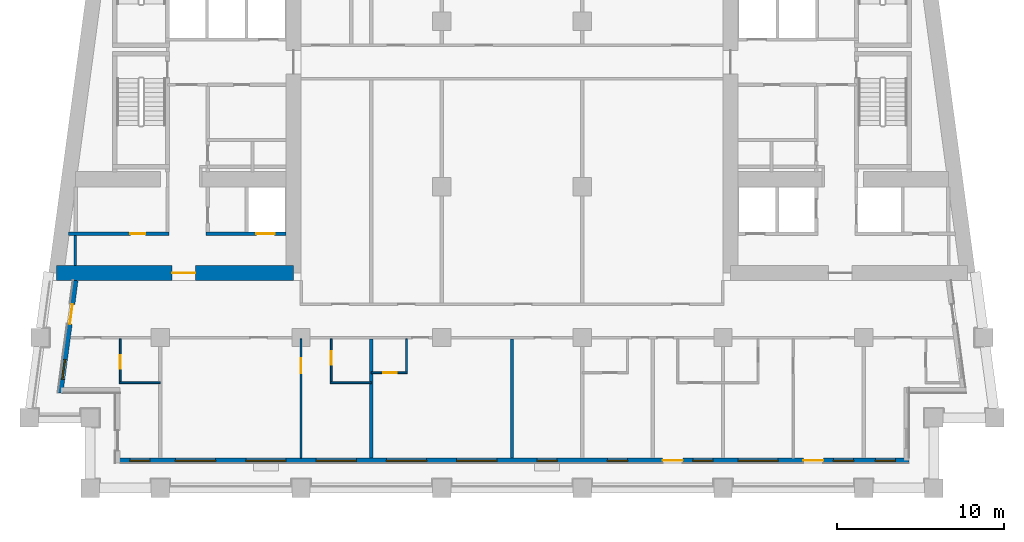
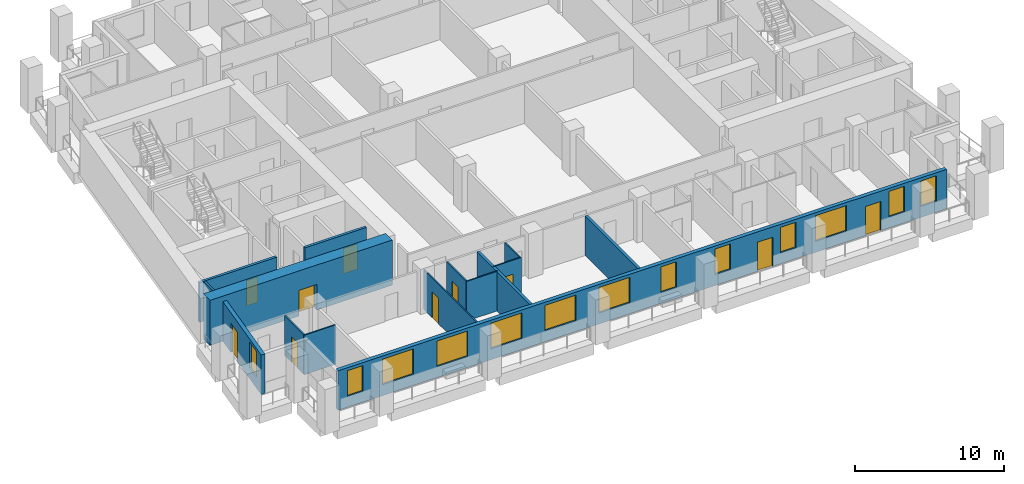
# One storey, part 2 of 13: 15 walls, 13 windows, 10 doors, 23 openings.
"""IFC4 building model written with IfcOpenShell, lengths in metres."""

from ifc_helpers import new_model, si_unit, direction, frame, frame_2d, origin, place, context, subcontext, project, spatial, rectangle, extrude, material, layer, layer_set, type_object, element, fill, save


model = new_model("IFC4")

# Units and contexts
model_context = context("Model", 3, precision=1e-05, world=origin(), true_north=direction((0.0, 1.0)))
body_context = subcontext(model_context, "Body", "Model", "MODEL_VIEW")
ifc_project = project(units=[si_unit("LENGTHUNIT", "METRE"), si_unit("AREAUNIT", "SQUARE_METRE"), si_unit("VOLUMEUNIT", "CUBIC_METRE"), si_unit("PLANEANGLEUNIT", "RADIAN"), si_unit("MASSUNIT", "GRAM", prefix="KILO")], contexts=[model_context])

# Site, building, storey
site_placement = place(None, origin())
site = spatial("IfcSite", under=ifc_project, at=site_placement, CompositionType="ELEMENT")
building_placement = place(site_placement, origin())
building = spatial("IfcBuilding", under=site, at=building_placement, Name="Candeia Pilgrim Tower and Theatre", CompositionType="ELEMENT")
storey_placement = place(building_placement, frame((0.0, 0.0, 188.5)))
storey = spatial("IfcBuildingStorey", under=building, at=storey_placement, Name="L45", CompositionType="ELEMENT", Elevation=188.5)

# Wall, opening, door
ifc_material_1 = material(Name="Concrete C60/75", Category="concrete")
ifc_layer_1 = layer(ifc_material_1, 0.89990234375)
ifc_layer_set_1 = layer_set([ifc_layer_1], Name="Core wall 900 C60/75")
wall_type_1 = type_object("IfcWallType", Name="Core wall 900 C60/75", PredefinedType="SHEAR", material=ifc_layer_set_1)
wall_1_placement = place(storey_placement, frame((100.35009765625, 110.85009765625, 0.0), z_axis=(0.0, 0.0, 1.0), x_axis=(-1.0, 0.0, 0.0)))
wall_1 = element("IfcWall", 1, at=wall_1_placement, inside=storey, type_object=wall_type_1, Name="Core wall W3", PredefinedType="SHEAR", context=body_context, shape_type="SweptSolid", body=[
    extrude(rectangle(XDim=14.166259765625, YDim=0.89990234375, at=frame_2d((7.0830078125, 0.0))), origin(), (0.0, 0.0, 1.0), 3.699951171875),
])
opening_1_placement = place(wall_1_placement, frame((5.854736328125, 0.0, 0.0)))
opening_1 = element("IfcOpeningElement", 2, at=opening_1_placement, cuts=wall_1, Name="Opening L45-D055", PredefinedType="OPENING", context=body_context, shape_type="SweptSolid", body=[
    extrude(rectangle(XDim=1.39990234375, YDim=2.10009765625, at=frame_2d((0.699951171875, 1.050048828125))), frame((0.0, 0.4599609375, 0.0), z_axis=(0.0, -1.0, 0.0), x_axis=(1.0, 0.0, 0.0)), (0.0, 0.0, 1.0), 0.919921875),
])
ifc_material_2 = material(Name="Steel fire door set", Category="steel")
door_type_1 = type_object("IfcDoorType", Name="D-1400-FD60", OperationType="NOTDEFINED", PredefinedType="DOOR", material=ifc_material_2)
door_1_placement = place(opening_1_placement, origin())
door_1 = element("IfcDoor", 3, at=door_1_placement, inside=storey, type_object=door_type_1, Name="Door L45-D055", OperationType="SINGLE_SWING_RIGHT", OverallHeight=2.10009765625, OverallWidth=1.39990234375, PredefinedType="DOOR", context=body_context, shape_type="SweptSolid", body=[
    extrude(rectangle(XDim=1.39990234375, YDim=2.10009765625, at=frame_2d((0.699951171875, 1.050048828125))), frame((0.0, 0.02490234375, 0.0), z_axis=(0.0, -1.0, 0.0), x_axis=(1.0, 0.0, 0.0)), (0.0, 0.0, 1.0), 0.050048828125),
])
fill(opening_1, door_1)

# Wall, openings, doors, windows
ifc_material_3 = material(Name="Ceramic block masonry", Category="masonry")
ifc_layer_2 = layer(ifc_material_3, 0.300048828125)
ifc_layer_set_2 = layer_set([ifc_layer_2], Name="EW1 glazing-line wall 300")
wall_type_2 = type_object("IfcWallType", Name="EW1 glazing-line wall 300", PredefinedType="SOLIDWALL", material=ifc_layer_set_2)
wall_2_placement = place(storey_placement, frame((89.85009765625, 99.64990234375, 0.0), z_axis=(0.0, 0.0, 1.0), x_axis=(1.0, 0.0, 0.0)))
wall_2 = element("IfcWall", 4, at=wall_2_placement, inside=storey, type_object=wall_type_2, Name="External wall L45-0.0", PredefinedType="SOLIDWALL", context=body_context, shape_type="SweptSolid", body=[
    extrude(rectangle(XDim=47.25, YDim=0.300048828125, at=frame_2d((23.625, 0.0))), origin(), (0.0, 0.0, 1.0), 3.25),
])
opening_2_placement = place(wall_2_placement, frame((0.72509765625, 0.0, 0.89990234375)))
opening_2 = element("IfcOpeningElement", 5, at=opening_2_placement, cuts=wall_2, Name="Opening W-B", PredefinedType="OPENING", context=body_context, shape_type="SweptSolid", body=[
    extrude(rectangle(XDim=1.199951171875, YDim=2.10009765625, at=frame_2d((0.60009765625, 1.050048828125))), frame((0.0, 0.16015625, 0.0), z_axis=(0.0, -1.0, 0.0), x_axis=(1.0, 0.0, 0.0)), (0.0, 0.0, 1.0), 0.320068359375),
])
opening_3_placement = place(wall_2_placement, frame((3.449951171875, 0.0, 0.89990234375)))
opening_3 = element("IfcOpeningElement", 6, at=opening_3_placement, cuts=wall_2, Name="Opening W-A", PredefinedType="OPENING", context=body_context, shape_type="SweptSolid", body=[
    extrude(rectangle(XDim=2.39990234375, YDim=2.10009765625, at=frame_2d((1.199951171875, 1.050048828125))), frame((0.0, 0.16015625, 0.0), z_axis=(0.0, -1.0, 0.0), x_axis=(1.0, 0.0, 0.0)), (0.0, 0.0, 1.0), 0.320068359375),
])
opening_4_placement = place(wall_2_placement, frame((7.64990234375, 0.0, 0.89990234375)))
opening_4 = element("IfcOpeningElement", 7, at=opening_4_placement, cuts=wall_2, Name="Opening W-A", PredefinedType="OPENING", context=body_context, shape_type="SweptSolid", body=[
    extrude(rectangle(XDim=2.39990234375, YDim=2.10009765625, at=frame_2d((1.199951171875, 1.050048828125))), frame((0.0, 0.16015625, 0.0), z_axis=(0.0, -1.0, 0.0), x_axis=(1.0, 0.0, 0.0)), (0.0, 0.0, 1.0), 0.320068359375),
])
opening_5_placement = place(wall_2_placement, frame((11.85009765625, 0.0, 0.89990234375)))
opening_5 = element("IfcOpeningElement", 8, at=opening_5_placement, cuts=wall_2, Name="Opening W-A", PredefinedType="OPENING", context=body_context, shape_type="SweptSolid", body=[
    extrude(rectangle(XDim=2.39990234375, YDim=2.10009765625, at=frame_2d((1.199951171875, 1.050048828125))), frame((0.0, 0.16015625, 0.0), z_axis=(0.0, -1.0, 0.0), x_axis=(1.0, 0.0, 0.0)), (0.0, 0.0, 1.0), 0.320068359375),
])
opening_6_placement = place(wall_2_placement, frame((16.050048828125, 0.0, 0.89990234375)))
opening_6 = element("IfcOpeningElement", 9, at=opening_6_placement, cuts=wall_2, Name="Opening W-A", PredefinedType="OPENING", context=body_context, shape_type="SweptSolid", body=[
    extrude(rectangle(XDim=2.39990234375, YDim=2.10009765625, at=frame_2d((1.199951171875, 1.050048828125))), frame((0.0, 0.16015625, 0.0), z_axis=(0.0, -1.0, 0.0), x_axis=(1.0, 0.0, 0.0)), (0.0, 0.0, 1.0), 0.320068359375),
])
opening_7_placement = place(wall_2_placement, frame((20.25, 0.0, 0.89990234375)))
opening_7 = element("IfcOpeningElement", 10, at=opening_7_placement, cuts=wall_2, Name="Opening W-A", PredefinedType="OPENING", context=body_context, shape_type="SweptSolid", body=[
    extrude(rectangle(XDim=2.39990234375, YDim=2.10009765625, at=frame_2d((1.199951171875, 1.050048828125))), frame((0.0, 0.16015625, 0.0), z_axis=(0.0, -1.0, 0.0), x_axis=(1.0, 0.0, 0.0)), (0.0, 0.0, 1.0), 0.320068359375),
])
opening_8_placement = place(wall_2_placement, frame((25.050048828125, 0.0, 0.89990234375)))
opening_8 = element("IfcOpeningElement", 11, at=opening_8_placement, cuts=wall_2, Name="Opening W-B", PredefinedType="OPENING", context=body_context, shape_type="SweptSolid", body=[
    extrude(rectangle(XDim=1.199951171875, YDim=2.10009765625, at=frame_2d((0.60009765625, 1.050048828125))), frame((0.0, 0.16015625, 0.0), z_axis=(0.0, -1.0, 0.0), x_axis=(1.0, 0.0, 0.0)), (0.0, 0.0, 1.0), 0.320068359375),
])
opening_9_placement = place(wall_2_placement, frame((29.25, 0.0, 0.89990234375)))
opening_9 = element("IfcOpeningElement", 12, at=opening_9_placement, cuts=wall_2, Name="Opening W-B", PredefinedType="OPENING", context=body_context, shape_type="SweptSolid", body=[
    extrude(rectangle(XDim=1.199951171875, YDim=2.10009765625, at=frame_2d((0.60009765625, 1.050048828125))), frame((0.0, 0.16015625, 0.0), z_axis=(0.0, -1.0, 0.0), x_axis=(1.0, 0.0, 0.0)), (0.0, 0.0, 1.0), 0.320068359375),
])
opening_10_placement = place(wall_2_placement, frame((32.550048828125, 0.0, 0.0)))
opening_10 = element("IfcOpeningElement", 13, at=opening_10_placement, cuts=wall_2, Name="Opening L45-ED430", PredefinedType="OPENING", context=body_context, shape_type="SweptSolid", body=[
    extrude(rectangle(XDim=1.199951171875, YDim=2.39990234375, at=frame_2d((0.60009765625, 1.199951171875))), frame((0.0, 0.16015625, 0.0), z_axis=(0.0, -1.0, 0.0), x_axis=(1.0, 0.0, 0.0)), (0.0, 0.0, 1.0), 0.320068359375),
])
opening_11_placement = place(wall_2_placement, frame((34.35009765625, 0.0, 0.89990234375)))
opening_11 = element("IfcOpeningElement", 14, at=opening_11_placement, cuts=wall_2, Name="Opening W-B", PredefinedType="OPENING", context=body_context, shape_type="SweptSolid", body=[
    extrude(rectangle(XDim=1.199951171875, YDim=2.10009765625, at=frame_2d((0.60009765625, 1.050048828125))), frame((0.0, 0.16015625, 0.0), z_axis=(0.0, -1.0, 0.0), x_axis=(1.0, 0.0, 0.0)), (0.0, 0.0, 1.0), 0.320068359375),
])
opening_12_placement = place(wall_2_placement, frame((37.050048828125, 0.0, 0.89990234375)))
opening_12 = element("IfcOpeningElement", 15, at=opening_12_placement, cuts=wall_2, Name="Opening W-A", PredefinedType="OPENING", context=body_context, shape_type="SweptSolid", body=[
    extrude(rectangle(XDim=2.39990234375, YDim=2.10009765625, at=frame_2d((1.199951171875, 1.050048828125))), frame((0.0, 0.16015625, 0.0), z_axis=(0.0, -1.0, 0.0), x_axis=(1.0, 0.0, 0.0)), (0.0, 0.0, 1.0), 0.320068359375),
])
opening_13_placement = place(wall_2_placement, frame((40.949951171875, 0.0, 0.0)))
opening_13 = element("IfcOpeningElement", 16, at=opening_13_placement, cuts=wall_2, Name="Opening L45-ED431", PredefinedType="OPENING", context=body_context, shape_type="SweptSolid", body=[
    extrude(rectangle(XDim=1.199951171875, YDim=2.39990234375, at=frame_2d((0.60009765625, 1.199951171875))), frame((0.0, 0.16015625, 0.0), z_axis=(0.0, -1.0, 0.0), x_axis=(1.0, 0.0, 0.0)), (0.0, 0.0, 1.0), 0.320068359375),
])
opening_14_placement = place(wall_2_placement, frame((42.75, 0.0, 0.89990234375)))
opening_14 = element("IfcOpeningElement", 17, at=opening_14_placement, cuts=wall_2, Name="Opening W-B", PredefinedType="OPENING", context=body_context, shape_type="SweptSolid", body=[
    extrude(rectangle(XDim=1.199951171875, YDim=2.10009765625, at=frame_2d((0.60009765625, 1.050048828125))), frame((0.0, 0.16015625, 0.0), z_axis=(0.0, -1.0, 0.0), x_axis=(1.0, 0.0, 0.0)), (0.0, 0.0, 1.0), 0.320068359375),
])
opening_15_placement = place(wall_2_placement, frame((45.25, 0.0, 0.89990234375)))
opening_15 = element("IfcOpeningElement", 18, at=opening_15_placement, cuts=wall_2, Name="Opening W-B", PredefinedType="OPENING", context=body_context, shape_type="SweptSolid", body=[
    extrude(rectangle(XDim=1.199951171875, YDim=2.10009765625, at=frame_2d((0.60009765625, 1.050048828125))), frame((0.0, 0.16015625, 0.0), z_axis=(0.0, -1.0, 0.0), x_axis=(1.0, 0.0, 0.0)), (0.0, 0.0, 1.0), 0.320068359375),
])
ifc_material_4 = material(Name="Aluminium framed glazed door", Category="aluminium")
door_type_2 = type_object("IfcDoorType", Name="Loggia door 1200x2400", OperationType="DOUBLE_DOOR_SINGLE_SWING", PredefinedType="DOOR", material=ifc_material_4)
door_2_placement = place(opening_10_placement, origin())
door_2 = element("IfcDoor", 19, at=door_2_placement, inside=storey, type_object=door_type_2, Name="Loggia door L45-ED430", OperationType="DOUBLE_DOOR_SINGLE_SWING", OverallHeight=2.39990234375, OverallWidth=1.199951171875, PredefinedType="DOOR", context=body_context, shape_type="SweptSolid", body=[
    extrude(rectangle(XDim=1.199951171875, YDim=2.39990234375, at=frame_2d((0.60009765625, 1.199951171875))), frame((0.0, 0.02490234375, 0.0), z_axis=(0.0, -1.0, 0.0), x_axis=(1.0, 0.0, 0.0)), (0.0, 0.0, 1.0), 0.050048828125),
])
fill(opening_10, door_2)
door_3_placement = place(opening_13_placement, origin())
door_3 = element("IfcDoor", 20, at=door_3_placement, inside=storey, type_object=door_type_2, Name="Loggia door L45-ED431", OperationType="DOUBLE_DOOR_SINGLE_SWING", OverallHeight=2.39990234375, OverallWidth=1.199951171875, PredefinedType="DOOR", context=body_context, shape_type="SweptSolid", body=[
    extrude(rectangle(XDim=1.199951171875, YDim=2.39990234375, at=frame_2d((0.60009765625, 1.199951171875))), frame((0.0, 0.02490234375, 0.0), z_axis=(0.0, -1.0, 0.0), x_axis=(1.0, 0.0, 0.0)), (0.0, 0.0, 1.0), 0.050048828125),
])
fill(opening_13, door_3)
ifc_material_5 = material(Name="Aluminium framed double glazing", Category="aluminium")
window_type_1 = type_object("IfcWindowType", Name="W-A window 2400x2100", PartitioningType="DOUBLE_PANEL_VERTICAL", PredefinedType="WINDOW", material=ifc_material_5)
window_1_placement = place(opening_3_placement, origin())
window_1 = element("IfcWindow", 21, at=window_1_placement, inside=storey, type_object=window_type_1, Name="Window W-A L45", OverallHeight=2.10009765625, OverallWidth=2.39990234375, PartitioningType="SINGLE_PANEL", PredefinedType="WINDOW", context=body_context, shape_type="SweptSolid", body=[
    extrude(rectangle(XDim=2.39990234375, YDim=2.10009765625, at=frame_2d((1.199951171875, 1.050048828125))), frame((0.0, 0.030029296875, 0.0), z_axis=(0.0, -1.0, 0.0), x_axis=(1.0, 0.0, 0.0)), (0.0, 0.0, 1.0), 0.06005859375),
])
fill(opening_3, window_1)
window_2_placement = place(opening_4_placement, origin())
window_2 = element("IfcWindow", 22, at=window_2_placement, inside=storey, type_object=window_type_1, Name="Window W-A L45", OverallHeight=2.10009765625, OverallWidth=2.39990234375, PartitioningType="SINGLE_PANEL", PredefinedType="WINDOW", context=body_context, shape_type="SweptSolid", body=[
    extrude(rectangle(XDim=2.39990234375, YDim=2.10009765625, at=frame_2d((1.199951171875, 1.050048828125))), frame((0.0, 0.030029296875, 0.0), z_axis=(0.0, -1.0, 0.0), x_axis=(1.0, 0.0, 0.0)), (0.0, 0.0, 1.0), 0.06005859375),
])
fill(opening_4, window_2)
window_3_placement = place(opening_5_placement, origin())
window_3 = element("IfcWindow", 23, at=window_3_placement, inside=storey, type_object=window_type_1, Name="Window W-A L45", OverallHeight=2.10009765625, OverallWidth=2.39990234375, PartitioningType="SINGLE_PANEL", PredefinedType="WINDOW", context=body_context, shape_type="SweptSolid", body=[
    extrude(rectangle(XDim=2.39990234375, YDim=2.10009765625, at=frame_2d((1.199951171875, 1.050048828125))), frame((0.0, 0.030029296875, 0.0), z_axis=(0.0, -1.0, 0.0), x_axis=(1.0, 0.0, 0.0)), (0.0, 0.0, 1.0), 0.06005859375),
])
fill(opening_5, window_3)
window_4_placement = place(opening_6_placement, origin())
window_4 = element("IfcWindow", 24, at=window_4_placement, inside=storey, type_object=window_type_1, Name="Window W-A L45", OverallHeight=2.10009765625, OverallWidth=2.39990234375, PartitioningType="SINGLE_PANEL", PredefinedType="WINDOW", context=body_context, shape_type="SweptSolid", body=[
    extrude(rectangle(XDim=2.39990234375, YDim=2.10009765625, at=frame_2d((1.199951171875, 1.050048828125))), frame((0.0, 0.030029296875, 0.0), z_axis=(0.0, -1.0, 0.0), x_axis=(1.0, 0.0, 0.0)), (0.0, 0.0, 1.0), 0.06005859375),
])
fill(opening_6, window_4)
window_5_placement = place(opening_7_placement, origin())
window_5 = element("IfcWindow", 25, at=window_5_placement, inside=storey, type_object=window_type_1, Name="Window W-A L45", OverallHeight=2.10009765625, OverallWidth=2.39990234375, PartitioningType="SINGLE_PANEL", PredefinedType="WINDOW", context=body_context, shape_type="SweptSolid", body=[
    extrude(rectangle(XDim=2.39990234375, YDim=2.10009765625, at=frame_2d((1.199951171875, 1.050048828125))), frame((0.0, 0.030029296875, 0.0), z_axis=(0.0, -1.0, 0.0), x_axis=(1.0, 0.0, 0.0)), (0.0, 0.0, 1.0), 0.06005859375),
])
fill(opening_7, window_5)
window_6_placement = place(opening_12_placement, origin())
window_6 = element("IfcWindow", 26, at=window_6_placement, inside=storey, type_object=window_type_1, Name="Window W-A L45", OverallHeight=2.10009765625, OverallWidth=2.39990234375, PartitioningType="SINGLE_PANEL", PredefinedType="WINDOW", context=body_context, shape_type="SweptSolid", body=[
    extrude(rectangle(XDim=2.39990234375, YDim=2.10009765625, at=frame_2d((1.199951171875, 1.050048828125))), frame((0.0, 0.030029296875, 0.0), z_axis=(0.0, -1.0, 0.0), x_axis=(1.0, 0.0, 0.0)), (0.0, 0.0, 1.0), 0.06005859375),
])
fill(opening_12, window_6)
window_type_2 = type_object("IfcWindowType", Name="W-B window 1200x2100", PartitioningType="SINGLE_PANEL", PredefinedType="WINDOW", material=ifc_material_5)
window_7_placement = place(opening_2_placement, origin())
window_7 = element("IfcWindow", 27, at=window_7_placement, inside=storey, type_object=window_type_2, Name="Window W-B L45", OverallHeight=2.10009765625, OverallWidth=1.199951171875, PartitioningType="SINGLE_PANEL", PredefinedType="WINDOW", context=body_context, shape_type="SweptSolid", body=[
    extrude(rectangle(XDim=1.199951171875, YDim=2.10009765625, at=frame_2d((0.60009765625, 1.050048828125))), frame((0.0, 0.030029296875, 0.0), z_axis=(0.0, -1.0, 0.0), x_axis=(1.0, 0.0, 0.0)), (0.0, 0.0, 1.0), 0.06005859375),
])
fill(opening_2, window_7)
window_8_placement = place(opening_8_placement, origin())
window_8 = element("IfcWindow", 28, at=window_8_placement, inside=storey, type_object=window_type_2, Name="Window W-B L45", OverallHeight=2.10009765625, OverallWidth=1.199951171875, PartitioningType="SINGLE_PANEL", PredefinedType="WINDOW", context=body_context, shape_type="SweptSolid", body=[
    extrude(rectangle(XDim=1.199951171875, YDim=2.10009765625, at=frame_2d((0.60009765625, 1.050048828125))), frame((0.0, 0.030029296875, 0.0), z_axis=(0.0, -1.0, 0.0), x_axis=(1.0, 0.0, 0.0)), (0.0, 0.0, 1.0), 0.06005859375),
])
fill(opening_8, window_8)
window_9_placement = place(opening_9_placement, origin())
window_9 = element("IfcWindow", 29, at=window_9_placement, inside=storey, type_object=window_type_2, Name="Window W-B L45", OverallHeight=2.10009765625, OverallWidth=1.199951171875, PartitioningType="SINGLE_PANEL", PredefinedType="WINDOW", context=body_context, shape_type="SweptSolid", body=[
    extrude(rectangle(XDim=1.199951171875, YDim=2.10009765625, at=frame_2d((0.60009765625, 1.050048828125))), frame((0.0, 0.030029296875, 0.0), z_axis=(0.0, -1.0, 0.0), x_axis=(1.0, 0.0, 0.0)), (0.0, 0.0, 1.0), 0.06005859375),
])
fill(opening_9, window_9)
window_10_placement = place(opening_11_placement, origin())
window_10 = element("IfcWindow", 30, at=window_10_placement, inside=storey, type_object=window_type_2, Name="Window W-B L45", OverallHeight=2.10009765625, OverallWidth=1.199951171875, PartitioningType="SINGLE_PANEL", PredefinedType="WINDOW", context=body_context, shape_type="SweptSolid", body=[
    extrude(rectangle(XDim=1.199951171875, YDim=2.10009765625, at=frame_2d((0.60009765625, 1.050048828125))), frame((0.0, 0.030029296875, 0.0), z_axis=(0.0, -1.0, 0.0), x_axis=(1.0, 0.0, 0.0)), (0.0, 0.0, 1.0), 0.06005859375),
])
fill(opening_11, window_10)
window_11_placement = place(opening_14_placement, origin())
window_11 = element("IfcWindow", 31, at=window_11_placement, inside=storey, type_object=window_type_2, Name="Window W-B L45", OverallHeight=2.10009765625, OverallWidth=1.199951171875, PartitioningType="SINGLE_PANEL", PredefinedType="WINDOW", context=body_context, shape_type="SweptSolid", body=[
    extrude(rectangle(XDim=1.199951171875, YDim=2.10009765625, at=frame_2d((0.60009765625, 1.050048828125))), frame((0.0, 0.030029296875, 0.0), z_axis=(0.0, -1.0, 0.0), x_axis=(1.0, 0.0, 0.0)), (0.0, 0.0, 1.0), 0.06005859375),
])
fill(opening_14, window_11)
window_12_placement = place(opening_15_placement, origin())
window_12 = element("IfcWindow", 32, at=window_12_placement, inside=storey, type_object=window_type_2, Name="Window W-B L45", OverallHeight=2.10009765625, OverallWidth=1.199951171875, PartitioningType="SINGLE_PANEL", PredefinedType="WINDOW", context=body_context, shape_type="SweptSolid", body=[
    extrude(rectangle(XDim=1.199951171875, YDim=2.10009765625, at=frame_2d((0.60009765625, 1.050048828125))), frame((0.0, 0.030029296875, 0.0), z_axis=(0.0, -1.0, 0.0), x_axis=(1.0, 0.0, 0.0)), (0.0, 0.0, 1.0), 0.06005859375),
])
fill(opening_15, window_12)

# Wall, openings, door, window
wall_3_placement = place(storey_placement, frame((87.334228515625, 110.39990234375, 0.0), z_axis=(0.0, 0.0, 1.0), x_axis=(-0.133437175554, -0.991057273915, 0.0)))
wall_3 = element("IfcWall", 33, at=wall_3_placement, inside=storey, type_object=wall_type_2, Name="External wall L45-9.1", PredefinedType="SOLIDWALL", context=body_context, shape_type="SweptSolid", body=[
    extrude(rectangle(XDim=6.780517578125, YDim=0.300048828125, at=frame_2d((3.39013671875, 0.0))), origin(), (0.0, 0.0, 1.0), 3.25),
])
opening_16_placement = place(wall_3_placement, frame((1.41796875, 0.0, 0.0)))
opening_16 = element("IfcOpeningElement", 34, at=opening_16_placement, cuts=wall_3, Name="Opening L45-ED438", PredefinedType="OPENING", context=body_context, shape_type="SweptSolid", body=[
    extrude(rectangle(XDim=1.199951171875, YDim=2.39990234375, at=frame_2d((0.60009765625, 1.199951171875))), frame((0.0, 0.16015625, 0.0), z_axis=(0.0, -1.0, 0.0), x_axis=(1.0, 0.0, 0.0)), (0.0, 0.0, 1.0), 0.320068359375),
])
opening_17_placement = place(wall_3_placement, frame((4.75830078125, 0.0, 0.89990234375)))
opening_17 = element("IfcOpeningElement", 35, at=opening_17_placement, cuts=wall_3, Name="Opening W-B", PredefinedType="OPENING", context=body_context, shape_type="SweptSolid", body=[
    extrude(rectangle(XDim=1.199951171875, YDim=2.10009765625, at=frame_2d((0.60009765625, 1.050048828125))), frame((0.0, 0.16015625, 0.0), z_axis=(0.0, -1.0, 0.0), x_axis=(1.0, 0.0, 0.0)), (0.0, 0.0, 1.0), 0.320068359375),
])
door_4_placement = place(opening_16_placement, origin())
door_4 = element("IfcDoor", 36, at=door_4_placement, inside=storey, type_object=door_type_2, Name="Loggia door L45-ED438", OperationType="DOUBLE_DOOR_SINGLE_SWING", OverallHeight=2.39990234375, OverallWidth=1.199951171875, PredefinedType="DOOR", context=body_context, shape_type="SweptSolid", body=[
    extrude(rectangle(XDim=1.199951171875, YDim=2.39990234375, at=frame_2d((0.60009765625, 1.199951171875))), frame((0.0, 0.02490234375, 0.0), z_axis=(0.0, -1.0, 0.0), x_axis=(1.0, 0.0, 0.0)), (0.0, 0.0, 1.0), 0.050048828125),
])
fill(opening_16, door_4)
window_13_placement = place(opening_17_placement, origin())
window_13 = element("IfcWindow", 37, at=window_13_placement, inside=storey, type_object=window_type_2, Name="Window W-B L45", OverallHeight=2.10009765625, OverallWidth=1.199951171875, PartitioningType="SINGLE_PANEL", PredefinedType="WINDOW", context=body_context, shape_type="SweptSolid", body=[
    extrude(rectangle(XDim=1.199951171875, YDim=2.10009765625, at=frame_2d((0.60009765625, 1.050048828125))), frame((0.0, 0.030029296875, 0.0), z_axis=(0.0, -1.0, 0.0), x_axis=(1.0, 0.0, 0.0)), (0.0, 0.0, 1.0), 0.06005859375),
])
fill(opening_17, window_13)

# Walls
ifc_material_6 = material(Name="Gypsum board partition on steel studs", Category="steel")
ifc_layer_3 = layer(ifc_material_6, 0.10009765625)
ifc_layer_set_3 = layer_set([ifc_layer_3], Name="PW-100 room partition")
wall_type_3 = type_object("IfcWallType", Name="PW-100 room partition", PredefinedType="PARTITIONING", material=ifc_layer_set_3)
for number, where, z_axis, x_axis, name in (
    (38, (89.949951171875, 104.300048828125, 0.0), (0.0, 0.0, 1.0), (1.0, 0.0, 0.0), "Room partition L45-001"),
    (39, (102.550048828125, 104.300048828125, 0.0), (0.0, 0.0, 1.0), (1.0, 0.0, 0.0), "Room partition L45-002"),
):
    element("IfcWall", number, at=place(storey_placement, frame(where, z_axis=z_axis, x_axis=x_axis)), inside=storey, type_object=wall_type_3, Name=name, PredefinedType="PARTITIONING", context=body_context, shape_type="SweptSolid", body=[
        extrude(rectangle(XDim=2.449951171875, YDim=0.10009765625, at=frame_2d((1.22509765625, 0.0))), origin(), (0.0, 0.0, 1.0), 3.25),
    ])

# Wall, opening, door
wall_4_placement = place(storey_placement, frame((105.0, 104.89990234375, 0.0), z_axis=(0.0, 0.0, 1.0), x_axis=(1.0, 0.0, 0.0)))
wall_4 = element("IfcWall", 40, at=wall_4_placement, inside=storey, type_object=wall_type_3, Name="Room partition L45-005", PredefinedType="PARTITIONING", context=body_context, shape_type="SweptSolid", body=[
    extrude(rectangle(XDim=2.14990234375, YDim=0.10009765625, at=frame_2d((1.074951171875, 0.0))), origin(), (0.0, 0.0, 1.0), 3.25),
])
opening_18_placement = place(wall_4_placement, frame((0.7099609375, 0.0, 0.0)))
opening_18 = element("IfcOpeningElement", 41, at=opening_18_placement, cuts=wall_4, Name="Opening L45-D020", PredefinedType="OPENING", context=body_context, shape_type="SweptSolid", body=[
    extrude(rectangle(XDim=0.800048828125, YDim=2.10009765625, at=frame_2d((0.39990234375, 1.050048828125))), frame((0.0, 0.06005859375, 0.0), z_axis=(0.0, -1.0, 0.0), x_axis=(1.0, 0.0, 0.0)), (0.0, 0.0, 1.0), 0.1201171875),
])
ifc_material_7 = material(Name="Timber door leaf", Category="wood")
door_type_3 = type_object("IfcDoorType", Name="D-800", OperationType="NOTDEFINED", PredefinedType="DOOR", material=ifc_material_7)
door_5_placement = place(opening_18_placement, origin())
door_5 = element("IfcDoor", 42, at=door_5_placement, inside=storey, type_object=door_type_3, Name="Door L45-D020", OperationType="SINGLE_SWING_LEFT", OverallHeight=2.10009765625, OverallWidth=0.800048828125, PredefinedType="DOOR", context=body_context, shape_type="SweptSolid", body=[
    extrude(rectangle(XDim=0.800048828125, YDim=2.10009765625, at=frame_2d((0.39990234375, 1.050048828125))), frame((0.0, 0.02490234375, 0.0), z_axis=(0.0, -1.0, 0.0), x_axis=(1.0, 0.0, 0.0)), (0.0, 0.0, 1.0), 0.050048828125),
])
fill(opening_18, door_5)

wall_5_placement = place(storey_placement, frame((90.0, 104.35009765625, 0.0), z_axis=(0.0, 0.0, 1.0), x_axis=(0.0, 1.0, 0.0)))
wall_5 = element("IfcWall", 43, at=wall_5_placement, inside=storey, type_object=wall_type_3, Name="Room partition L45-052", PredefinedType="PARTITIONING", context=body_context, shape_type="SweptSolid", body=[
    extrude(rectangle(XDim=2.574951171875, YDim=0.10009765625, at=frame_2d((1.28759765625, 0.0))), origin(), (0.0, 0.0, 1.0), 3.25),
])
opening_19_placement = place(wall_5_placement, frame((0.780029296875, 0.0, 0.0)))
opening_19 = element("IfcOpeningElement", 44, at=opening_19_placement, cuts=wall_5, Name="Opening L45-D015", PredefinedType="OPENING", context=body_context, shape_type="SweptSolid", body=[
    extrude(rectangle(XDim=0.800048828125, YDim=2.10009765625, at=frame_2d((0.39990234375, 1.050048828125))), frame((0.0, 0.06005859375, 0.0), z_axis=(0.0, -1.0, 0.0), x_axis=(1.0, 0.0, 0.0)), (0.0, 0.0, 1.0), 0.1201171875),
])
door_6_placement = place(opening_19_placement, origin())
door_6 = element("IfcDoor", 45, at=door_6_placement, inside=storey, type_object=door_type_3, Name="Door L45-D015", OperationType="SINGLE_SWING_RIGHT", OverallHeight=2.10009765625, OverallWidth=0.800048828125, PredefinedType="DOOR", context=body_context, shape_type="SweptSolid", body=[
    extrude(rectangle(XDim=0.800048828125, YDim=2.10009765625, at=frame_2d((0.39990234375, 1.050048828125))), frame((0.0, 0.02490234375, 0.0), z_axis=(0.0, -1.0, 0.0), x_axis=(1.0, 0.0, 0.0)), (0.0, 0.0, 1.0), 0.050048828125),
])
fill(opening_19, door_6)

wall_6_placement = place(storey_placement, frame((100.800048828125, 99.7900390625, 0.0), z_axis=(0.0, 0.0, 1.0), x_axis=(0.0, 1.0, 0.0)))
wall_6 = element("IfcWall", 46, at=wall_6_placement, inside=storey, type_object=wall_type_3, Name="Room partition L45-068", PredefinedType="PARTITIONING", context=body_context, shape_type="SweptSolid", body=[
    extrude(rectangle(XDim=7.135009765625, YDim=0.10009765625, at=frame_2d((3.5673828125, 0.0))), origin(), (0.0, 0.0, 1.0), 3.25),
])
opening_20_placement = place(wall_6_placement, frame((5.074951171875, 0.0, 0.0)))
opening_20 = element("IfcOpeningElement", 47, at=opening_20_placement, cuts=wall_6, Name="Opening L45-D017", PredefinedType="OPENING", context=body_context, shape_type="SweptSolid", body=[
    extrude(rectangle(XDim=0.89990234375, YDim=2.10009765625, at=frame_2d((0.449951171875, 1.050048828125))), frame((0.0, 0.06005859375, 0.0), z_axis=(0.0, -1.0, 0.0), x_axis=(1.0, 0.0, 0.0)), (0.0, 0.0, 1.0), 0.1201171875),
])
door_type_4 = type_object("IfcDoorType", Name="D-900", OperationType="NOTDEFINED", PredefinedType="DOOR", material=ifc_material_7)
door_7_placement = place(opening_20_placement, origin())
door_7 = element("IfcDoor", 48, at=door_7_placement, inside=storey, type_object=door_type_4, Name="Door L45-D017", OperationType="SINGLE_SWING_RIGHT", OverallHeight=2.10009765625, OverallWidth=0.89990234375, PredefinedType="DOOR", context=body_context, shape_type="SweptSolid", body=[
    extrude(rectangle(XDim=0.89990234375, YDim=2.10009765625, at=frame_2d((0.449951171875, 1.050048828125))), frame((0.0, 0.02490234375, 0.0), z_axis=(0.0, -1.0, 0.0), x_axis=(1.0, 0.0, 0.0)), (0.0, 0.0, 1.0), 0.050048828125),
])
fill(opening_20, door_7)

wall_7_placement = place(storey_placement, frame((102.60009765625, 104.35009765625, 0.0), z_axis=(0.0, 0.0, 1.0), x_axis=(0.0, 1.0, 0.0)))
wall_7 = element("IfcWall", 49, at=wall_7_placement, inside=storey, type_object=wall_type_3, Name="Room partition L45-072", PredefinedType="PARTITIONING", context=body_context, shape_type="SweptSolid", body=[
    extrude(rectangle(XDim=2.574951171875, YDim=0.10009765625, at=frame_2d((1.28759765625, 0.0))), origin(), (0.0, 0.0, 1.0), 3.25),
])
opening_21_placement = place(wall_7_placement, frame((1.02001953125, 0.0, 0.0)))
opening_21 = element("IfcOpeningElement", 50, at=opening_21_placement, cuts=wall_7, Name="Opening L45-D018", PredefinedType="OPENING", context=body_context, shape_type="SweptSolid", body=[
    extrude(rectangle(XDim=0.800048828125, YDim=2.10009765625, at=frame_2d((0.39990234375, 1.050048828125))), frame((0.0, 0.06005859375, 0.0), z_axis=(0.0, -1.0, 0.0), x_axis=(1.0, 0.0, 0.0)), (0.0, 0.0, 1.0), 0.1201171875),
])
door_8_placement = place(opening_21_placement, origin())
door_8 = element("IfcDoor", 51, at=door_8_placement, inside=storey, type_object=door_type_3, Name="Door L45-D018", OperationType="SINGLE_SWING_LEFT", OverallHeight=2.10009765625, OverallWidth=0.800048828125, PredefinedType="DOOR", context=body_context, shape_type="SweptSolid", body=[
    extrude(rectangle(XDim=0.800048828125, YDim=2.10009765625, at=frame_2d((0.39990234375, 1.050048828125))), frame((0.0, 0.02490234375, 0.0), z_axis=(0.0, -1.0, 0.0), x_axis=(1.0, 0.0, 0.0)), (0.0, 0.0, 1.0), 0.050048828125),
])
fill(opening_21, door_8)

# Walls
wall_8_placement = place(storey_placement, frame((107.10009765625, 104.949951171875, 0.0), z_axis=(0.0, 0.0, 1.0), x_axis=(0.0, 1.0, 0.0)))
element("IfcWall", 52, at=wall_8_placement, inside=storey, type_object=wall_type_3, Name="Room partition L45-080", PredefinedType="PARTITIONING", context=body_context, shape_type="SweptSolid", body=[
    extrude(rectangle(XDim=1.97509765625, YDim=0.10009765625, at=frame_2d((0.987548828125, 0.0))), origin(), (0.0, 0.0, 1.0), 3.25),
])
ifc_layer_4 = layer(ifc_material_6, 0.14990234375)
ifc_layer_set_4 = layer_set([ifc_layer_4], Name="PW-150 lobby wall")
wall_type_4 = type_object("IfcWallType", Name="PW-150 lobby wall", PredefinedType="PARTITIONING", material=ifc_layer_set_4)
wall_9_placement = place(storey_placement, frame((87.327880859375, 111.300048828125, 0.0), z_axis=(0.0, 0.0, 1.0), x_axis=(0.0, 1.0, 0.0)))
element("IfcWall", 53, at=wall_9_placement, inside=storey, type_object=wall_type_4, Name="Lobby wall L45-049", PredefinedType="PARTITIONING", context=body_context, shape_type="SweptSolid", body=[
    extrude(rectangle(XDim=1.800048828125, YDim=0.14990234375, at=frame_2d((0.89990234375, 0.0))), origin(), (0.0, 0.0, 1.0), 3.25),
])
ifc_layer_5 = layer(ifc_material_6, 0.199951171875)
ifc_layer_set_5 = layer_set([ifc_layer_5], Name="PW-200 party wall")
wall_type_5 = type_object("IfcWallType", Name="PW-200 party wall", PredefinedType="PARTITIONING", material=ifc_layer_set_5)
for number, where, z_axis, x_axis, name in (
    (54, (105.0, 99.7900390625, 0.0), (0.0, 0.0, 1.0), (0.0, 1.0, 0.0), "Party wall L45-075"),
    (55, (113.39990234375, 99.7900390625, 0.0), (0.0, 0.0, 1.0), (0.0, 1.0, 0.0), "Party wall L45-085"),
):
    element("IfcWall", number, at=place(storey_placement, frame(where, z_axis=z_axis, x_axis=x_axis)), inside=storey, type_object=wall_type_5, Name=name, PredefinedType="PARTITIONING", context=body_context, shape_type="SweptSolid", body=[
        extrude(rectangle(XDim=7.135009765625, YDim=0.199951171875, at=frame_2d((3.5673828125, 0.0))), origin(), (0.0, 0.0, 1.0), 3.25),
    ])

# Wall, opening, door
ifc_material_8 = material(Name="Concrete C40/50", Category="concrete")
ifc_layer_6 = layer(ifc_material_8, 0.199951171875)
ifc_layer_set_6 = layer_set([ifc_layer_6], Name="SW-200 shaft wall")
wall_type_6 = type_object("IfcWallType", Name="SW-200 shaft wall", PredefinedType="PARTITIONING", material=ifc_layer_set_6)
wall_10_placement = place(storey_placement, frame((86.92431640625, 113.199951171875, 0.0), z_axis=(0.0, 0.0, 1.0), x_axis=(1.0, 0.0, 0.0)))
wall_10 = element("IfcWall", 56, at=wall_10_placement, inside=storey, type_object=wall_type_6, Name="Shaft wall L45-009", PredefinedType="PARTITIONING", context=body_context, shape_type="SweptSolid", body=[
    extrude(rectangle(XDim=6.002685546875, YDim=0.199951171875, at=frame_2d((3.00146484375, 0.0))), origin(), (0.0, 0.0, 1.0), 3.25),
])
opening_22_placement = place(wall_10_placement, frame((3.677734375, 0.0, 0.0)))
opening_22 = element("IfcOpeningElement", 57, at=opening_22_placement, cuts=wall_10, Name="Opening L45-D006", PredefinedType="OPENING", context=body_context, shape_type="SweptSolid", body=[
    extrude(rectangle(XDim=0.89990234375, YDim=2.10009765625, at=frame_2d((0.449951171875, 1.050048828125))), frame((0.0, 0.10986328125, 0.0), z_axis=(0.0, -1.0, 0.0), x_axis=(1.0, 0.0, 0.0)), (0.0, 0.0, 1.0), 0.219970703125),
])
door_type_5 = type_object("IfcDoorType", Name="D-900-FD60", OperationType="NOTDEFINED", PredefinedType="DOOR", material=ifc_material_2)
door_9_placement = place(opening_22_placement, origin())
door_9 = element("IfcDoor", 58, at=door_9_placement, inside=storey, type_object=door_type_5, Name="Door L45-D006", OperationType="SINGLE_SWING_RIGHT", OverallHeight=2.10009765625, OverallWidth=0.89990234375, PredefinedType="DOOR", context=body_context, shape_type="SweptSolid", body=[
    extrude(rectangle(XDim=0.89990234375, YDim=2.10009765625, at=frame_2d((0.449951171875, 1.050048828125))), frame((0.0, 0.02490234375, 0.0), z_axis=(0.0, -1.0, 0.0), x_axis=(1.0, 0.0, 0.0)), (0.0, 0.0, 1.0), 0.050048828125),
])
fill(opening_22, door_9)

wall_11_placement = place(storey_placement, frame((95.126953125, 113.199951171875, 0.0), z_axis=(0.0, 0.0, 1.0), x_axis=(1.0, 0.0, 0.0)))
wall_11 = element("IfcWall", 59, at=wall_11_placement, inside=storey, type_object=wall_type_6, Name="Shaft wall L45-010", PredefinedType="PARTITIONING", context=body_context, shape_type="SweptSolid", body=[
    extrude(rectangle(XDim=4.77294921875, YDim=0.199951171875, at=frame_2d((2.386474609375, 0.0))), origin(), (0.0, 0.0, 1.0), 3.25),
])
opening_23_placement = place(wall_11_placement, frame((3.0009765625, 0.0, 0.0)))
opening_23 = element("IfcOpeningElement", 60, at=opening_23_placement, cuts=wall_11, Name="Opening L45-LD03", PredefinedType="OPENING", context=body_context, shape_type="SweptSolid", body=[
    extrude(rectangle(XDim=1.10009765625, YDim=2.10009765625, at=frame_2d((0.550048828125, 1.050048828125))), frame((0.0, 0.10986328125, 0.0), z_axis=(0.0, -1.0, 0.0), x_axis=(1.0, 0.0, 0.0)), (0.0, 0.0, 1.0), 0.219970703125),
])
ifc_material_9 = material(Name="Glazed aluminium landing door", Category="aluminium")
door_type_6 = type_object("IfcDoorType", Name="LD-1100-EI120", OperationType="SLIDING_TO_LEFT", PredefinedType="DOOR", material=ifc_material_9)
door_10_placement = place(opening_23_placement, origin())
door_10 = element("IfcDoor", 61, at=door_10_placement, inside=storey, type_object=door_type_6, Name="Landing door 03 L45", OperationType="SLIDING_TO_LEFT", OverallHeight=2.10009765625, OverallWidth=1.10009765625, PredefinedType="DOOR", context=body_context, shape_type="SweptSolid", body=[
    extrude(rectangle(XDim=1.10009765625, YDim=2.10009765625, at=frame_2d((0.550048828125, 1.050048828125))), frame((0.0, 0.02490234375, 0.0), z_axis=(0.0, -1.0, 0.0), x_axis=(1.0, 0.0, 0.0)), (0.0, 0.0, 1.0), 0.050048828125),
])
fill(opening_23, door_10)

save(model, "model.ifc")
